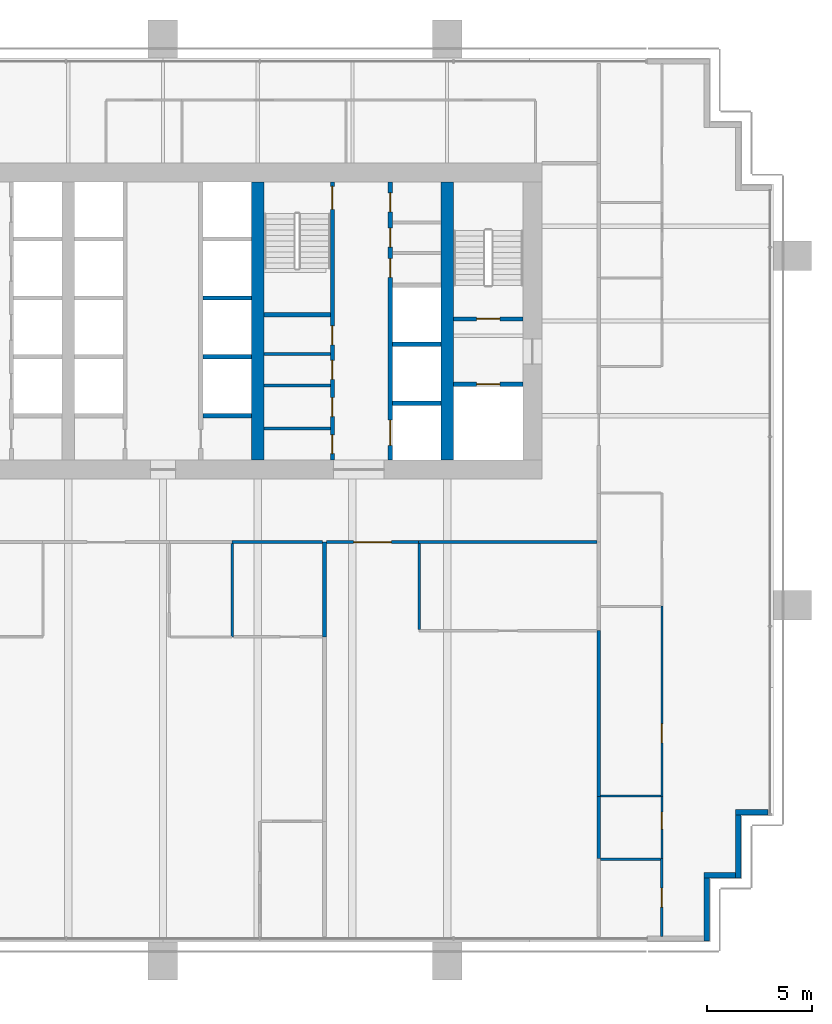
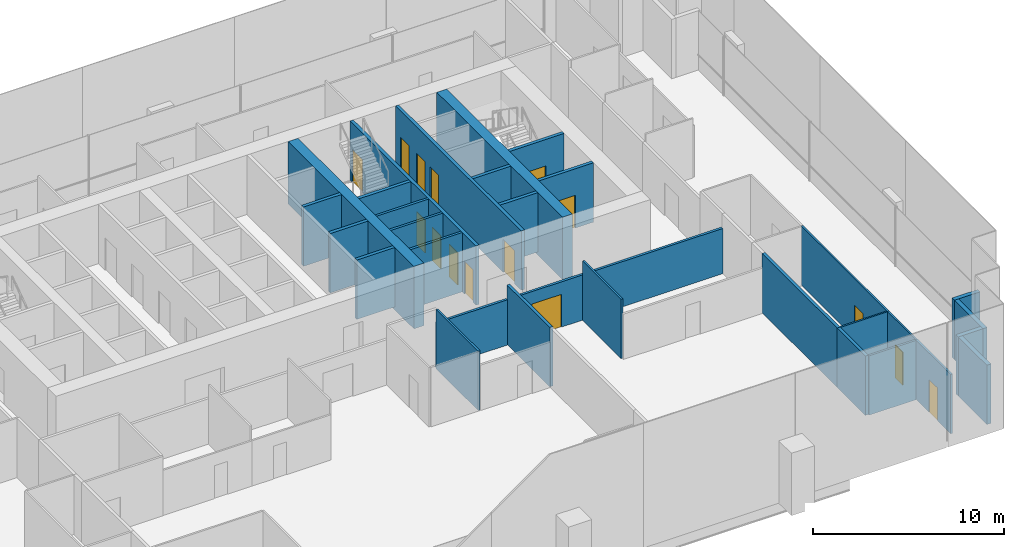
# One storey, part 12 of 17: 32 walls, 15 doors, 15 openings.
"""IFC4 building model written with IfcOpenShell, lengths in metres."""

from ifc_helpers import new_model, si_unit, direction, frame, frame_2d, origin, place, context, subcontext, project, spatial, rectangle, extrude, material, layer, layer_set, type_object, element, fill, save


model = new_model("IFC4")

# Units and contexts
model_context = context("Model", 3, precision=1e-05, world=origin(), true_north=direction((0.0, 1.0)))
body_context = subcontext(model_context, "Body", "Model", "MODEL_VIEW")
ifc_project = project(units=[si_unit("LENGTHUNIT", "METRE"), si_unit("AREAUNIT", "SQUARE_METRE"), si_unit("VOLUMEUNIT", "CUBIC_METRE"), si_unit("PLANEANGLEUNIT", "RADIAN"), si_unit("MASSUNIT", "GRAM", prefix="KILO")], contexts=[model_context])

# Site, building, storey
site_placement = place(None, origin())
site = spatial("IfcSite", under=ifc_project, at=site_placement, CompositionType="ELEMENT")
building_placement = place(site_placement, origin())
building = spatial("IfcBuilding", under=site, at=building_placement, Name="Rattan Terrace Tower", CompositionType="ELEMENT")
storey_placement = place(building_placement, frame((0.0, 0.0, 126.10009765625)))
storey = spatial("IfcBuildingStorey", under=building, at=storey_placement, Name="L28", CompositionType="ELEMENT", Elevation=126.10009765625)

# Walls
ifc_material_1 = material(Name="Gypsum board partition")
ifc_layer_1 = layer(ifc_material_1, 0.14990234375)
ifc_layer_set_1 = layer_set([ifc_layer_1], Name="Core partition 150")
wall_type_1 = type_object("IfcWallType", Name="Core partition 150", PredefinedType="PARTITIONING", material=ifc_layer_set_1)
for number, where, z_axis, x_axis, name in (
    (1, (4.800048828125, -5.10400390625, 0.0), (0.0, 0.0, 1.0), (1.0, 0.0, 0.0), "Toilet wall"),
    (2, (4.800048828125, -3.06396484375, 0.0), (0.0, 0.0, 1.0), (1.0, 0.0, 0.0), "Toilet wall"),
    (3, (4.800048828125, -1.568115234375, 0.0), (0.0, 0.0, 1.0), (1.0, 0.0, 0.0), "Toilet wall"),
):
    element("IfcWall", number, at=place(storey_placement, frame(where, z_axis=z_axis, x_axis=x_axis)), inside=storey, type_object=wall_type_1, Name=name, PredefinedType="PARTITIONING", context=body_context, shape_type="SweptSolid", body=[
        extrude(rectangle(XDim=3.14990234375, YDim=0.14990234375, at=frame_2d((1.574951171875, 0.0))), origin(), (0.0, 0.0, 1.0), 3.7998046875),
    ])

# Wall, opening, door
ifc_material_2 = material(Name="Gypsum board partition")
ifc_layer_2 = layer(ifc_material_2, 0.199951171875)
ifc_layer_set_2 = layer_set([ifc_layer_2], Name="Core partition 200")
wall_type_2 = type_object("IfcWallType", Name="Core partition 200", PredefinedType="PARTITIONING", material=ifc_layer_set_2)
wall_1_placement = place(storey_placement, frame((13.800048828125, -3.0, 0.0), z_axis=(0.0, 0.0, 1.0), x_axis=(1.0, 0.0, 0.0)))
wall_1 = element("IfcWall", 4, at=wall_1_placement, inside=storey, type_object=wall_type_2, Name="Fire-fighting lobby wall", PredefinedType="PARTITIONING", context=body_context, shape_type="SweptSolid", body=[
    extrude(rectangle(XDim=3.300048828125, YDim=0.199951171875, at=frame_2d((1.64990234375, 0.0))), origin(), (0.0, 0.0, 1.0), 3.7998046875),
])
opening_1_placement = place(wall_1_placement, frame((1.10009765625, 0.0, 0.0)))
opening_1 = element("IfcOpeningElement", 5, at=opening_1_placement, cuts=wall_1, Name="Opening L28-LD-FF2", PredefinedType="OPENING", context=body_context, shape_type="SweptSolid", body=[
    extrude(rectangle(XDim=1.10009765625, YDim=2.10009765625, at=frame_2d((0.550048828125, 1.050048828125))), frame((0.0, 0.110595703125, 0.0), z_axis=(0.0, -1.0, 0.0), x_axis=(1.0, 0.0, 0.0)), (0.0, 0.0, 1.0), 0.220947265625),
])
ifc_material_3 = material(Name="Brushed stainless landing door panel")
door_type_1 = type_object("IfcDoorType", Name="Core lift landing door 1100", OperationType="DOUBLE_DOOR_SLIDING", PredefinedType="DOOR", material=ifc_material_3)
door_1_placement = place(opening_1_placement, origin())
door_1 = element("IfcDoor", 6, at=door_1_placement, inside=storey, type_object=door_type_1, Name="Door L28-LD-FF2", OperationType="DOUBLE_DOOR_SLIDING", OverallHeight=2.10009765625, OverallWidth=1.10009765625, PredefinedType="DOOR", context=body_context, shape_type="SweptSolid", body=[
    extrude(rectangle(XDim=1.10009765625, YDim=2.10009765625, at=frame_2d((0.550048828125, 1.050048828125))), frame((0.0, 0.02490234375, 0.0), z_axis=(0.0, -1.0, 0.0), x_axis=(1.0, 0.0, 0.0)), (0.0, 0.0, 1.0), 0.050048828125),
])
fill(opening_1, door_1)

wall_2_placement = place(storey_placement, frame((13.800048828125, 0.10009765625, 0.0), z_axis=(0.0, 0.0, 1.0), x_axis=(1.0, 0.0, 0.0)))
wall_2 = element("IfcWall", 7, at=wall_2_placement, inside=storey, type_object=wall_type_2, Name="Stair enclosure wall", PredefinedType="PARTITIONING", context=body_context, shape_type="SweptSolid", body=[
    extrude(rectangle(XDim=3.300048828125, YDim=0.199951171875, at=frame_2d((1.64990234375, 0.0))), origin(), (0.0, 0.0, 1.0), 3.7998046875),
])
opening_2_placement = place(wall_2_placement, frame((1.10009765625, 0.0, 0.0)))
opening_2 = element("IfcOpeningElement", 8, at=opening_2_placement, cuts=wall_2, Name="Opening L28-D004", PredefinedType="OPENING", context=body_context, shape_type="SweptSolid", body=[
    extrude(rectangle(XDim=1.10009765625, YDim=2.10009765625, at=frame_2d((0.550048828125, 1.050048828125))), frame((0.0, 0.110595703125, 0.0), z_axis=(0.0, -1.0, 0.0), x_axis=(1.0, 0.0, 0.0)), (0.0, 0.0, 1.0), 0.220947265625),
])
ifc_material_4 = material(Name="Hollow-metal fire door leaf")
door_type_2 = type_object("IfcDoorType", Name="Core stair door 1100", OperationType="NOTDEFINED", PredefinedType="DOOR", material=ifc_material_4)
door_2_placement = place(opening_2_placement, origin())
door_2 = element("IfcDoor", 9, at=door_2_placement, inside=storey, type_object=door_type_2, Name="Door L28-D004", OperationType="SINGLE_SWING_RIGHT", OverallHeight=2.10009765625, OverallWidth=1.10009765625, PredefinedType="DOOR", context=body_context, shape_type="SweptSolid", body=[
    extrude(rectangle(XDim=1.10009765625, YDim=2.10009765625, at=frame_2d((0.550048828125, 1.050048828125))), frame((0.0, 0.02490234375, 0.0), z_axis=(0.0, -1.0, 0.0), x_axis=(1.0, 0.0, 0.0)), (0.0, 0.0, 1.0), 0.050048828125),
])
fill(opening_2, door_2)

# Wall, openings, doors
wall_3_placement = place(storey_placement, frame((8.050048828125, -6.60009765625, 0.0), z_axis=(0.0, 0.0, 1.0), x_axis=(0.0, 1.0, 0.0)))
wall_3 = element("IfcWall", 10, at=wall_3_placement, inside=storey, type_object=wall_type_2, Name="Lobby wall west", PredefinedType="PARTITIONING", context=body_context, shape_type="SweptSolid", body=[
    extrude(rectangle(XDim=13.2001953125, YDim=0.199951171875, at=frame_2d((6.60009765625, 0.0))), origin(), (0.0, 0.0, 1.0), 3.7998046875),
])
opening_3_placement = place(wall_3_placement, frame((0.298095703125, 0.0, 0.0)))
opening_3 = element("IfcOpeningElement", 11, at=opening_3_placement, cuts=wall_3, Name="Opening L28-D011", PredefinedType="OPENING", context=body_context, shape_type="SweptSolid", body=[
    extrude(rectangle(XDim=0.89990234375, YDim=2.10009765625, at=frame_2d((0.449951171875, 1.050048828125))), frame((0.0, 0.110595703125, 0.0), z_axis=(0.0, -1.0, 0.0), x_axis=(1.0, 0.0, 0.0)), (0.0, 0.0, 1.0), 0.220947265625),
])
opening_4_placement = place(wall_3_placement, frame((2.06591796875, 0.0, 0.0)))
opening_4 = element("IfcOpeningElement", 12, at=opening_4_placement, cuts=wall_3, Name="Opening L28-D012", PredefinedType="OPENING", context=body_context, shape_type="SweptSolid", body=[
    extrude(rectangle(XDim=0.89990234375, YDim=2.10009765625, at=frame_2d((0.449951171875, 1.050048828125))), frame((0.0, 0.110595703125, 0.0), z_axis=(0.0, -1.0, 0.0), x_axis=(1.0, 0.0, 0.0)), (0.0, 0.0, 1.0), 0.220947265625),
])
opening_5_placement = place(wall_3_placement, frame((3.833984375, 0.0, 0.0)))
opening_5 = element("IfcOpeningElement", 13, at=opening_5_placement, cuts=wall_3, Name="Opening L28-D013", PredefinedType="OPENING", context=body_context, shape_type="SweptSolid", body=[
    extrude(rectangle(XDim=0.89990234375, YDim=2.10009765625, at=frame_2d((0.449951171875, 1.050048828125))), frame((0.0, 0.110595703125, 0.0), z_axis=(0.0, -1.0, 0.0), x_axis=(1.0, 0.0, 0.0)), (0.0, 0.0, 1.0), 0.220947265625),
])
opening_6_placement = place(wall_3_placement, frame((5.466064453125, 0.0, 0.0)))
opening_6 = element("IfcOpeningElement", 14, at=opening_6_placement, cuts=wall_3, Name="Opening L28-D014", PredefinedType="OPENING", context=body_context, shape_type="SweptSolid", body=[
    extrude(rectangle(XDim=0.89990234375, YDim=2.10009765625, at=frame_2d((0.449951171875, 1.050048828125))), frame((0.0, 0.110595703125, 0.0), z_axis=(0.0, -1.0, 0.0), x_axis=(1.0, 0.0, 0.0)), (0.0, 0.0, 1.0), 0.220947265625),
])
opening_7_placement = place(wall_3_placement, frame((11.89990234375, 0.0, 0.0)))
opening_7 = element("IfcOpeningElement", 15, at=opening_7_placement, cuts=wall_3, Name="Opening L28-D015", PredefinedType="OPENING", context=body_context, shape_type="SweptSolid", body=[
    extrude(rectangle(XDim=1.10009765625, YDim=2.10009765625, at=frame_2d((0.550048828125, 1.050048828125))), frame((0.0, 0.110595703125, 0.0), z_axis=(0.0, -1.0, 0.0), x_axis=(1.0, 0.0, 0.0)), (0.0, 0.0, 1.0), 0.220947265625),
])
ifc_material_5 = material(Name="Hollow-metal fire door leaf")
door_type_3 = type_object("IfcDoorType", Name="Core service room door 900", OperationType="NOTDEFINED", PredefinedType="DOOR", material=ifc_material_5)
door_3_placement = place(opening_6_placement, origin())
door_3 = element("IfcDoor", 16, at=door_3_placement, inside=storey, type_object=door_type_3, Name="Door L28-D014", OperationType="SINGLE_SWING_LEFT", OverallHeight=2.10009765625, OverallWidth=0.89990234375, PredefinedType="DOOR", context=body_context, shape_type="SweptSolid", body=[
    extrude(rectangle(XDim=0.89990234375, YDim=2.10009765625, at=frame_2d((0.449951171875, 1.050048828125))), frame((0.0, 0.02490234375, 0.0), z_axis=(0.0, -1.0, 0.0), x_axis=(1.0, 0.0, 0.0)), (0.0, 0.0, 1.0), 0.050048828125),
])
fill(opening_6, door_3)
door_4_placement = place(opening_7_placement, origin())
door_4 = element("IfcDoor", 17, at=door_4_placement, inside=storey, type_object=door_type_2, Name="Door L28-D015", OperationType="SINGLE_SWING_RIGHT", OverallHeight=2.10009765625, OverallWidth=1.10009765625, PredefinedType="DOOR", context=body_context, shape_type="SweptSolid", body=[
    extrude(rectangle(XDim=1.10009765625, YDim=2.10009765625, at=frame_2d((0.550048828125, 1.050048828125))), frame((0.0, 0.02490234375, 0.0), z_axis=(0.0, -1.0, 0.0), x_axis=(1.0, 0.0, 0.0)), (0.0, 0.0, 1.0), 0.050048828125),
])
fill(opening_7, door_4)
ifc_material_6 = material(Name="Hollow-metal fire door leaf")
door_type_4 = type_object("IfcDoorType", Name="Core toilet door 900", OperationType="NOTDEFINED", PredefinedType="DOOR", material=ifc_material_6)
door_5_placement = place(opening_3_placement, origin())
door_5 = element("IfcDoor", 18, at=door_5_placement, inside=storey, type_object=door_type_4, Name="Door L28-D011", OperationType="SINGLE_SWING_RIGHT", OverallHeight=2.10009765625, OverallWidth=0.89990234375, PredefinedType="DOOR", context=body_context, shape_type="SweptSolid", body=[
    extrude(rectangle(XDim=0.89990234375, YDim=2.10009765625, at=frame_2d((0.449951171875, 1.050048828125))), frame((0.0, 0.02490234375, 0.0), z_axis=(0.0, -1.0, 0.0), x_axis=(1.0, 0.0, 0.0)), (0.0, 0.0, 1.0), 0.050048828125),
])
fill(opening_3, door_5)
door_6_placement = place(opening_4_placement, origin())
door_6 = element("IfcDoor", 19, at=door_6_placement, inside=storey, type_object=door_type_4, Name="Door L28-D012", OperationType="SINGLE_SWING_LEFT", OverallHeight=2.10009765625, OverallWidth=0.89990234375, PredefinedType="DOOR", context=body_context, shape_type="SweptSolid", body=[
    extrude(rectangle(XDim=0.89990234375, YDim=2.10009765625, at=frame_2d((0.449951171875, 1.050048828125))), frame((0.0, 0.02490234375, 0.0), z_axis=(0.0, -1.0, 0.0), x_axis=(1.0, 0.0, 0.0)), (0.0, 0.0, 1.0), 0.050048828125),
])
fill(opening_4, door_6)
door_7_placement = place(opening_5_placement, origin())
door_7 = element("IfcDoor", 20, at=door_7_placement, inside=storey, type_object=door_type_4, Name="Door L28-D013", OperationType="SINGLE_SWING_RIGHT", OverallHeight=2.10009765625, OverallWidth=0.89990234375, PredefinedType="DOOR", context=body_context, shape_type="SweptSolid", body=[
    extrude(rectangle(XDim=0.89990234375, YDim=2.10009765625, at=frame_2d((0.449951171875, 1.050048828125))), frame((0.0, 0.02490234375, 0.0), z_axis=(0.0, -1.0, 0.0), x_axis=(1.0, 0.0, 0.0)), (0.0, 0.0, 1.0), 0.050048828125),
])
fill(opening_5, door_7)

# Walls
wall_4_placement = place(storey_placement, frame((4.800048828125, 0.300048828125, 0.0), z_axis=(0.0, 0.0, 1.0), x_axis=(1.0, 0.0, 0.0)))
element("IfcWall", 21, at=wall_4_placement, inside=storey, type_object=wall_type_2, Name="Stair enclosure wall", PredefinedType="PARTITIONING", context=body_context, shape_type="SweptSolid", body=[
    extrude(rectangle(XDim=3.14990234375, YDim=0.199951171875, at=frame_2d((1.574951171875, 0.0))), origin(), (0.0, 0.0, 1.0), 3.7998046875),
])
ifc_material_7 = material(Name="Concrete C60/75", Category="concrete")
ifc_layer_3 = layer(ifc_material_7, 0.60009765625)
ifc_layer_set_3 = layer_set([ifc_layer_3], Name="Core spine wall 600 C60/75")
wall_type_3 = type_object("IfcWallType", Name="Core spine wall 600 C60/75", PredefinedType="SHEAR", material=ifc_layer_set_3)
for number, where, z_axis, x_axis, name in (
    (22, (4.5, -6.60009765625, -0.2001953125), (0.0, 0.0, 1.0), (0.0, 1.0, 0.0), "Core spine wall 3"),
    (23, (13.5, -6.60009765625, -0.2001953125), (0.0, 0.0, 1.0), (0.0, 1.0, 0.0), "Core spine wall 4"),
):
    element("IfcWall", number, at=place(storey_placement, frame(where, z_axis=z_axis, x_axis=x_axis)), inside=storey, type_object=wall_type_3, Name=name, PredefinedType="SHEAR", context=body_context, shape_type="SweptSolid", body=[
        extrude(rectangle(XDim=13.2001953125, YDim=0.60009765625, at=frame_2d((6.60009765625, 0.0))), origin(), (0.0, 0.0, 1.0), 4.0),
    ])
ifc_material_8 = material(Name="Insulated aluminium-clad stud wall", Category="aluminium")
ifc_layer_4 = layer(ifc_material_8, 0.25)
ifc_layer_set_4 = layer_set([ifc_layer_4], Name="Facade Riser Wall 250")
wall_type_4 = type_object("IfcWallType", Name="Facade Riser Wall 250", PredefinedType="SOLIDWALL", material=ifc_layer_set_4)
wall_5_placement = place(storey_placement, frame((25.830078125, -29.455078125, 0.0), z_axis=(0.0, 0.0, 1.0), x_axis=(0.0, 1.0, 0.0)))
element("IfcWall", 24, at=wall_5_placement, inside=storey, type_object=wall_type_4, Name="Riser wall L28-2", PredefinedType="SOLIDWALL", context=body_context, shape_type="SweptSolid", body=[
    extrude(rectangle(XDim=3.0, YDim=0.25, at=frame_2d((1.5, 0.0))), origin(), (0.0, 0.0, 1.0), 3.7998046875),
])
wall_6_placement = place(storey_placement, frame((25.705078125, -26.330078125, 0.0), z_axis=(0.0, 0.0, 1.0), x_axis=(1.0, 0.0, 0.0)))
element("IfcWall", 25, at=wall_6_placement, inside=storey, type_object=wall_type_4, Name="Riser wall L28-3", PredefinedType="SOLIDWALL", context=body_context, shape_type="SweptSolid", body=[
    extrude(rectangle(XDim=1.5, YDim=0.25, at=frame_2d((0.75, 0.0))), origin(), (0.0, 0.0, 1.0), 3.7998046875),
])
wall_7_placement = place(storey_placement, frame((27.330078125, -26.455078125, 0.0), z_axis=(0.0, 0.0, 1.0), x_axis=(0.0, 1.0, 0.0)))
element("IfcWall", 26, at=wall_7_placement, inside=storey, type_object=wall_type_4, Name="Riser wall L28-4", PredefinedType="SOLIDWALL", context=body_context, shape_type="SweptSolid", body=[
    extrude(rectangle(XDim=3.0, YDim=0.25, at=frame_2d((1.5, 0.0))), origin(), (0.0, 0.0, 1.0), 3.7998046875),
])
wall_8_placement = place(storey_placement, frame((27.205078125, -23.330078125, 0.0), z_axis=(0.0, 0.0, 1.0), x_axis=(1.0, 0.0, 0.0)))
element("IfcWall", 27, at=wall_8_placement, inside=storey, type_object=wall_type_4, Name="Riser wall L28-5", PredefinedType="SOLIDWALL", context=body_context, shape_type="SweptSolid", body=[
    extrude(rectangle(XDim=1.544921875, YDim=0.25, at=frame_2d((0.7724609375, 0.0))), origin(), (0.0, 0.0, 1.0), 3.7998046875),
])
ifc_material_9 = material(Name="Double steel stud acoustic partition, gypsum board, mineral wool, fire rated", Category="steel")
ifc_layer_5 = layer(ifc_material_9, 0.179931640625)
ifc_layer_set_5 = layer_set([ifc_layer_5], Name="Floors Acoustic Party Wall 180")
wall_type_5 = type_object("IfcWallType", Name="Floors Acoustic Party Wall 180", PredefinedType="PARTITIONING", material=ifc_layer_set_5)
wall_9_placement = place(storey_placement, frame((7.6669921875, -10.5, 0.0), z_axis=(0.0, 0.0, 1.0), x_axis=(0.0, -1.0, 0.0)))
element("IfcWall", 28, at=wall_9_placement, inside=storey, type_object=wall_type_5, Name="pt-L28-054", PredefinedType="PARTITIONING", context=body_context, shape_type="SweptSolid", body=[
    extrude(rectangle(XDim=4.5, YDim=0.179931640625, at=frame_2d((2.25, 0.0))), origin(), (0.0, 0.0, 1.0), 3.7998046875),
])
wall_10_placement = place(storey_placement, frame((20.699951171875, -22.580078125, 0.0), z_axis=(0.0, 0.0, 1.0), x_axis=(0.0, -1.0, 0.0)))
element("IfcWall", 29, at=wall_10_placement, inside=storey, type_object=wall_type_5, Name="pt-L28-058", PredefinedType="PARTITIONING", context=body_context, shape_type="SweptSolid", body=[
    extrude(rectangle(XDim=2.9599609375, YDim=0.179931640625, at=frame_2d((1.47998046875, 0.0))), origin(), (0.0, 0.0, 1.0), 3.7998046875),
])
wall_11_placement = place(storey_placement, frame((20.699951171875, -14.699951171875, 0.0), z_axis=(0.0, 0.0, 1.0), x_axis=(0.0, -1.0, 0.0)))
element("IfcWall", 30, at=wall_11_placement, inside=storey, type_object=wall_type_5, Name="pt-L28-059", PredefinedType="PARTITIONING", context=body_context, shape_type="SweptSolid", body=[
    extrude(rectangle(XDim=7.880126953125, YDim=0.179931640625, at=frame_2d((3.93994140625, 0.0))), origin(), (0.0, 0.0, 1.0), 3.7998046875),
])

# Wall, opening, door
ifc_material_10 = material(Name="Gypsum board partition on steel studs", Category="steel")
ifc_layer_6 = layer(ifc_material_10, 0.10009765625)
ifc_layer_set_6 = layer_set([ifc_layer_6], Name="Floors Partition 100")
wall_type_6 = type_object("IfcWallType", Name="Floors Partition 100", PredefinedType="PARTITIONING", material=ifc_layer_set_6)
wall_12_placement = place(storey_placement, frame((23.699951171875, -25.5400390625, 0.0), z_axis=(0.0, 0.0, 1.0), x_axis=(0.0, 1.0, 0.0)))
wall_12 = element("IfcWall", 31, at=wall_12_placement, inside=storey, type_object=wall_type_6, Name="pt-L28-063", PredefinedType="PARTITIONING", context=body_context, shape_type="SweptSolid", body=[
    extrude(rectangle(XDim=2.9599609375, YDim=0.10009765625, at=frame_2d((1.47998046875, 0.0))), origin(), (0.0, 0.0, 1.0), 3.7998046875),
])
opening_8_placement = place(wall_12_placement, frame((1.412109375, 0.0, 0.0)))
opening_8 = element("IfcOpeningElement", 32, at=opening_8_placement, cuts=wall_12, Name="Opening L28-D118", PredefinedType="OPENING", context=body_context, shape_type="SweptSolid", body=[
    extrude(rectangle(XDim=0.800048828125, YDim=2.10009765625, at=frame_2d((0.39990234375, 1.050048828125))), frame((0.0, 0.060546875, 0.0), z_axis=(0.0, -1.0, 0.0), x_axis=(1.0, 0.0, 0.0)), (0.0, 0.0, 1.0), 0.12109375),
])
ifc_material_11 = material(Name="Solid core timber door, painted", Category="wood")
door_type_5 = type_object("IfcDoorType", Name="Floors Store Door 800x2100", OperationType="NOTDEFINED", PredefinedType="DOOR", material=ifc_material_11)
door_8_placement = place(opening_8_placement, origin())
door_8 = element("IfcDoor", 33, at=door_8_placement, inside=storey, type_object=door_type_5, Name="d-L28-118", OperationType="SINGLE_SWING_RIGHT", OverallHeight=2.10009765625, OverallWidth=0.800048828125, PredefinedType="DOOR", context=body_context, shape_type="SweptSolid", body=[
    extrude(rectangle(XDim=0.800048828125, YDim=2.10009765625, at=frame_2d((0.39990234375, 1.050048828125))), frame((0.0, 0.02490234375, 0.0), z_axis=(0.0, -1.0, 0.0), x_axis=(1.0, 0.0, 0.0)), (0.0, 0.0, 1.0), 0.050048828125),
])
fill(opening_8, door_8)

wall_13_placement = place(storey_placement, frame((23.699951171875, -22.580078125, 0.0), z_axis=(0.0, 0.0, 1.0), x_axis=(0.0, 1.0, 0.0)))
wall_13 = element("IfcWall", 34, at=wall_13_placement, inside=storey, type_object=wall_type_6, Name="pt-L28-064", PredefinedType="PARTITIONING", context=body_context, shape_type="SweptSolid", body=[
    extrude(rectangle(XDim=9.0400390625, YDim=0.10009765625, at=frame_2d((4.52001953125, 0.0))), origin(), (0.0, 0.0, 1.0), 3.7998046875),
])
opening_9_placement = place(wall_13_placement, frame((2.5419921875, 0.0, 0.0)))
opening_9 = element("IfcOpeningElement", 35, at=opening_9_placement, cuts=wall_13, Name="Opening L28-D119", PredefinedType="OPENING", context=body_context, shape_type="SweptSolid", body=[
    extrude(rectangle(XDim=0.89990234375, YDim=2.10009765625, at=frame_2d((0.449951171875, 1.050048828125))), frame((0.0, 0.060546875, 0.0), z_axis=(0.0, -1.0, 0.0), x_axis=(1.0, 0.0, 0.0)), (0.0, 0.0, 1.0), 0.12109375),
])
ifc_material_12 = material(Name="Solid core timber door, painted", Category="wood")
door_type_6 = type_object("IfcDoorType", Name="Floors Door 900x2100", OperationType="NOTDEFINED", PredefinedType="DOOR", material=ifc_material_12)
door_9_placement = place(opening_9_placement, origin())
door_9 = element("IfcDoor", 36, at=door_9_placement, inside=storey, type_object=door_type_6, Name="d-L28-119", OperationType="SINGLE_SWING_LEFT", OverallHeight=2.10009765625, OverallWidth=0.89990234375, PredefinedType="DOOR", context=body_context, shape_type="SweptSolid", body=[
    extrude(rectangle(XDim=0.89990234375, YDim=2.10009765625, at=frame_2d((0.449951171875, 1.050048828125))), frame((0.0, 0.02490234375, 0.0), z_axis=(0.0, -1.0, 0.0), x_axis=(1.0, 0.0, 0.0)), (0.0, 0.0, 1.0), 0.050048828125),
])
fill(opening_9, door_9)

# Walls
wall_14_placement = place(storey_placement, frame((20.7900390625, -22.56005859375, 0.0), z_axis=(0.0, 0.0, 1.0), x_axis=(1.0, 0.0, 0.0)))
element("IfcWall", 37, at=wall_14_placement, inside=storey, type_object=wall_type_6, Name="pt-L28-072", PredefinedType="PARTITIONING", context=body_context, shape_type="SweptSolid", body=[
    extrude(rectangle(XDim=2.85986328125, YDim=0.10009765625, at=frame_2d((1.429931640625, 0.0))), origin(), (0.0, 0.0, 1.0), 3.7998046875),
])
ifc_material_13 = material(Name="Gypsum board partition on steel studs, fire rated", Category="steel")
ifc_layer_7 = layer(ifc_material_13, 0.14990234375)
ifc_layer_set_7 = layer_set([ifc_layer_7], Name="Floors Tenancy Wall 150")
wall_type_7 = type_object("IfcWallType", Name="Floors Tenancy Wall 150", PredefinedType="PARTITIONING", material=ifc_layer_set_7)
wall_15_placement = place(storey_placement, frame((7.576904296875, -10.5, 0.0), z_axis=(0.0, 0.0, 1.0), x_axis=(-1.0, 0.0, 0.0)))
element("IfcWall", 38, at=wall_15_placement, inside=storey, type_object=wall_type_7, Name="pt-L28-010", PredefinedType="PARTITIONING", context=body_context, shape_type="SweptSolid", body=[
    extrude(rectangle(XDim=4.296875, YDim=0.14990234375, at=frame_2d((2.1484375, 0.0))), origin(), (0.0, 0.0, 1.0), 2.89990234375),
])

# Wall, opening, door
wall_16_placement = place(storey_placement, frame((12.14697265625, -10.5, 0.0), z_axis=(0.0, 0.0, 1.0), x_axis=(-1.0, 0.0, 0.0)))
wall_16 = element("IfcWall", 39, at=wall_16_placement, inside=storey, type_object=wall_type_7, Name="pt-L28-011", PredefinedType="PARTITIONING", context=body_context, shape_type="SweptSolid", body=[
    extrude(rectangle(XDim=4.389892578125, YDim=0.14990234375, at=frame_2d((2.19482421875, 0.0))), origin(), (0.0, 0.0, 1.0), 2.89990234375),
])
opening_10_placement = place(wall_16_placement, frame((1.294921875, 0.0, 0.0)))
opening_10 = element("IfcOpeningElement", 40, at=opening_10_placement, cuts=wall_16, Name="Opening L28-D114", PredefinedType="OPENING", context=body_context, shape_type="SweptSolid", body=[
    extrude(rectangle(XDim=1.800048828125, YDim=2.10009765625, at=frame_2d((0.89990234375, 1.050048828125))), frame((0.0, 0.08544921875, 0.0), z_axis=(0.0, -1.0, 0.0), x_axis=(1.0, 0.0, 0.0)), (0.0, 0.0, 1.0), 0.1708984375),
])
ifc_material_14 = material(Name="Steel fire door set", Category="steel")
door_type_7 = type_object("IfcDoorType", Name="Floors Fire Door Pair FD30S 1800x2100", OperationType="NOTDEFINED", PredefinedType="DOOR", material=ifc_material_14)
door_10_placement = place(opening_10_placement, origin())
door_10 = element("IfcDoor", 41, at=door_10_placement, inside=storey, type_object=door_type_7, Name="d-L28-114", OperationType="DOUBLE_DOOR_SINGLE_SWING", OverallHeight=2.10009765625, OverallWidth=1.800048828125, PredefinedType="DOOR", context=body_context, shape_type="SweptSolid", body=[
    extrude(rectangle(XDim=1.800048828125, YDim=2.10009765625, at=frame_2d((0.89990234375, 1.050048828125))), frame((0.0, 0.02490234375, 0.0), z_axis=(0.0, -1.0, 0.0), x_axis=(1.0, 0.0, 0.0)), (0.0, 0.0, 1.0), 0.050048828125),
])
fill(opening_10, door_10)

# Walls
wall_17_placement = place(storey_placement, frame((20.610107421875, -10.5, 0.0), z_axis=(0.0, 0.0, 1.0), x_axis=(-1.0, 0.0, 0.0)))
element("IfcWall", 42, at=wall_17_placement, inside=storey, type_object=wall_type_7, Name="pt-L28-012", PredefinedType="PARTITIONING", context=body_context, shape_type="SweptSolid", body=[
    extrude(rectangle(XDim=8.463134765625, YDim=0.14990234375, at=frame_2d((4.2314453125, 0.0))), origin(), (0.0, 0.0, 1.0), 2.89990234375),
])
ifc_material_15 = material(Name="Moisture resistant gypsum board partition on steel studs with service cavity", Category="steel")
ifc_layer_8 = layer(ifc_material_15, 0.1201171875)
ifc_layer_set_8 = layer_set([ifc_layer_8], Name="Floors Wet Wall 120")
wall_type_8 = type_object("IfcWallType", Name="Floors Wet Wall 120", PredefinedType="PARTITIONING", material=ifc_layer_set_8)
wall_18_placement = place(storey_placement, frame((3.300048828125, -10.574951171875, 0.0), z_axis=(0.0, 0.0, 1.0), x_axis=(0.0, -1.0, 0.0)))
element("IfcWall", 43, at=wall_18_placement, inside=storey, type_object=wall_type_8, Name="pt-L28-053", PredefinedType="PARTITIONING", context=body_context, shape_type="SweptSolid", body=[
    extrude(rectangle(XDim=4.425048828125, YDim=0.1201171875, at=frame_2d((2.21240234375, 0.0))), origin(), (0.0, 0.0, 1.0), 3.7998046875),
])
wall_19_placement = place(storey_placement, frame((12.1669921875, -10.574951171875, 0.0), z_axis=(0.0, 0.0, 1.0), x_axis=(0.0, -1.0, 0.0)))
element("IfcWall", 44, at=wall_19_placement, inside=storey, type_object=wall_type_8, Name="pt-L28-055", PredefinedType="PARTITIONING", context=body_context, shape_type="SweptSolid", body=[
    extrude(rectangle(XDim=4.06494140625, YDim=0.1201171875, at=frame_2d((2.032470703125, 0.0))), origin(), (0.0, 0.0, 1.0), 3.7998046875),
])

# Wall, opening, door
wall_20_placement = place(storey_placement, frame((23.699951171875, -29.239990234375, 0.0), z_axis=(0.0, 0.0, 1.0), x_axis=(0.0, 1.0, 0.0)))
wall_20 = element("IfcWall", 45, at=wall_20_placement, inside=storey, type_object=wall_type_8, Name="pt-L28-062", PredefinedType="PARTITIONING", context=body_context, shape_type="SweptSolid", body=[
    extrude(rectangle(XDim=3.699951171875, YDim=0.1201171875, at=frame_2d((1.85009765625, 0.0))), origin(), (0.0, 0.0, 1.0), 3.7998046875),
])
opening_11_placement = place(wall_20_placement, frame((1.39990234375, 0.0, 0.0)))
opening_11 = element("IfcOpeningElement", 46, at=opening_11_placement, cuts=wall_20, Name="Opening L28-D117", PredefinedType="OPENING", context=body_context, shape_type="SweptSolid", body=[
    extrude(rectangle(XDim=0.89990234375, YDim=2.10009765625, at=frame_2d((0.449951171875, 1.050048828125))), frame((0.0, 0.070556640625, 0.0), z_axis=(0.0, -1.0, 0.0), x_axis=(1.0, 0.0, 0.0)), (0.0, 0.0, 1.0), 0.14111328125),
])
door_11_placement = place(opening_11_placement, origin())
door_11 = element("IfcDoor", 47, at=door_11_placement, inside=storey, type_object=door_type_6, Name="d-L28-117", OperationType="SINGLE_SWING_RIGHT", OverallHeight=2.10009765625, OverallWidth=0.89990234375, PredefinedType="DOOR", context=body_context, shape_type="SweptSolid", body=[
    extrude(rectangle(XDim=0.89990234375, YDim=2.10009765625, at=frame_2d((0.449951171875, 1.050048828125))), frame((0.0, 0.02490234375, 0.0), z_axis=(0.0, -1.0, 0.0), x_axis=(1.0, 0.0, 0.0)), (0.0, 0.0, 1.0), 0.050048828125),
])
fill(opening_11, door_11)

# Walls
wall_21_placement = place(storey_placement, frame((20.7900390625, -25.56005859375, 0.0), z_axis=(0.0, 0.0, 1.0), x_axis=(1.0, 0.0, 0.0)))
element("IfcWall", 48, at=wall_21_placement, inside=storey, type_object=wall_type_8, Name="pt-L28-071", PredefinedType="PARTITIONING", context=body_context, shape_type="SweptSolid", body=[
    extrude(rectangle(XDim=2.849853515625, YDim=0.1201171875, at=frame_2d((1.4248046875, 0.0))), origin(), (0.0, 0.0, 1.0), 3.7998046875),
])
ifc_material_16 = material(Name="Gypsum shaft wall system")
ifc_layer_9 = layer(ifc_material_16, 0.199951171875)
ifc_layer_set_9 = layer_set([ifc_layer_9], Name="Lift shaft wall 200")
wall_type_9 = type_object("IfcWallType", Name="Lift shaft wall 200", PredefinedType="PARTITIONING", material=ifc_layer_set_9)
for number, where, z_axis, x_axis, name in (
    (49, (1.89990234375, -1.699951171875, 0.0), (0.0, 0.0, 1.0), (1.0, 0.0, 0.0), "Lift shaft wall"),
    (50, (1.89990234375, 1.10009765625, 0.0), (0.0, 0.0, 1.0), (1.0, 0.0, 0.0), "Lift shaft wall"),
    (51, (1.89990234375, -4.5, 0.0), (0.0, 0.0, 1.0), (1.0, 0.0, 0.0), "Lift shaft wall"),
):
    element("IfcWall", number, at=place(storey_placement, frame(where, z_axis=z_axis, x_axis=x_axis)), inside=storey, type_object=wall_type_9, Name=name, PredefinedType="PARTITIONING", context=body_context, shape_type="SweptSolid", body=[
        extrude(rectangle(XDim=2.300048828125, YDim=0.199951171875, at=frame_2d((1.14990234375, 0.0))), origin(), (0.0, 0.0, 1.0), 3.7998046875),
    ])

# Wall, openings, doors
wall_22_placement = place(storey_placement, frame((10.800048828125, -6.60009765625, 0.0), z_axis=(0.0, 0.0, 1.0), x_axis=(0.0, 1.0, 0.0)))
wall_22 = element("IfcWall", 52, at=wall_22_placement, inside=storey, type_object=wall_type_9, Name="Lift shaft front wall", PredefinedType="PARTITIONING", context=body_context, shape_type="SweptSolid", body=[
    extrude(rectangle(XDim=13.2001953125, YDim=0.199951171875, at=frame_2d((6.60009765625, 0.0))), origin(), (0.0, 0.0, 1.0), 3.7998046875),
])
opening_12_placement = place(wall_22_placement, frame((0.699951171875, 0.0, 0.0)))
opening_12 = element("IfcOpeningElement", 53, at=opening_12_placement, cuts=wall_22, Name="Opening L28-LD-SV1", PredefinedType="OPENING", context=body_context, shape_type="SweptSolid", body=[
    extrude(rectangle(XDim=1.199951171875, YDim=2.10009765625, at=frame_2d((0.60009765625, 1.050048828125))), frame((0.0, 0.110595703125, 0.0), z_axis=(0.0, -1.0, 0.0), x_axis=(1.0, 0.0, 0.0)), (0.0, 0.0, 1.0), 0.220947265625),
])
opening_13_placement = place(wall_22_placement, frame((8.669921875, 0.0, 0.0)))
opening_13 = element("IfcOpeningElement", 54, at=opening_13_placement, cuts=wall_22, Name="Opening L28-D017", PredefinedType="OPENING", context=body_context, shape_type="SweptSolid", body=[
    extrude(rectangle(XDim=0.89990234375, YDim=2.10009765625, at=frame_2d((0.449951171875, 1.050048828125))), frame((0.0, 0.110595703125, 0.0), z_axis=(0.0, -1.0, 0.0), x_axis=(1.0, 0.0, 0.0)), (0.0, 0.0, 1.0), 0.220947265625),
])
opening_14_placement = place(wall_22_placement, frame((10.110107421875, 0.0, 0.0)))
opening_14 = element("IfcOpeningElement", 55, at=opening_14_placement, cuts=wall_22, Name="Opening L28-D018", PredefinedType="OPENING", context=body_context, shape_type="SweptSolid", body=[
    extrude(rectangle(XDim=0.89990234375, YDim=2.10009765625, at=frame_2d((0.449951171875, 1.050048828125))), frame((0.0, 0.110595703125, 0.0), z_axis=(0.0, -1.0, 0.0), x_axis=(1.0, 0.0, 0.0)), (0.0, 0.0, 1.0), 0.220947265625),
])
opening_15_placement = place(wall_22_placement, frame((11.7900390625, 0.0, 0.0)))
opening_15 = element("IfcOpeningElement", 56, at=opening_15_placement, cuts=wall_22, Name="Opening L28-D019", PredefinedType="OPENING", context=body_context, shape_type="SweptSolid", body=[
    extrude(rectangle(XDim=0.89990234375, YDim=2.10009765625, at=frame_2d((0.449951171875, 1.050048828125))), frame((0.0, 0.110595703125, 0.0), z_axis=(0.0, -1.0, 0.0), x_axis=(1.0, 0.0, 0.0)), (0.0, 0.0, 1.0), 0.220947265625),
])
ifc_material_17 = material(Name="Brushed stainless landing door panel")
door_type_8 = type_object("IfcDoorType", Name="Core lift landing door 1200", OperationType="DOUBLE_DOOR_SLIDING", PredefinedType="DOOR", material=ifc_material_17)
door_12_placement = place(opening_12_placement, origin())
door_12 = element("IfcDoor", 57, at=door_12_placement, inside=storey, type_object=door_type_8, Name="Door L28-LD-SV1", OperationType="DOUBLE_DOOR_SLIDING", OverallHeight=2.10009765625, OverallWidth=1.199951171875, PredefinedType="DOOR", context=body_context, shape_type="SweptSolid", body=[
    extrude(rectangle(XDim=1.199951171875, YDim=2.10009765625, at=frame_2d((0.60009765625, 1.050048828125))), frame((0.0, 0.02490234375, 0.0), z_axis=(0.0, -1.0, 0.0), x_axis=(1.0, 0.0, 0.0)), (0.0, 0.0, 1.0), 0.050048828125),
])
fill(opening_12, door_12)
ifc_material_18 = material(Name="Hollow-metal fire door leaf")
door_type_9 = type_object("IfcDoorType", Name="Core riser door 900", OperationType="NOTDEFINED", PredefinedType="DOOR", material=ifc_material_18)
door_13_placement = place(opening_13_placement, origin())
door_13 = element("IfcDoor", 58, at=door_13_placement, inside=storey, type_object=door_type_9, Name="Door L28-D017", OperationType="SINGLE_SWING_LEFT", OverallHeight=2.10009765625, OverallWidth=0.89990234375, PredefinedType="DOOR", context=body_context, shape_type="SweptSolid", body=[
    extrude(rectangle(XDim=0.89990234375, YDim=2.10009765625, at=frame_2d((0.449951171875, 1.050048828125))), frame((0.0, 0.02490234375, 0.0), z_axis=(0.0, -1.0, 0.0), x_axis=(1.0, 0.0, 0.0)), (0.0, 0.0, 1.0), 0.050048828125),
])
fill(opening_13, door_13)
door_14_placement = place(opening_14_placement, origin())
door_14 = element("IfcDoor", 59, at=door_14_placement, inside=storey, type_object=door_type_9, Name="Door L28-D018", OperationType="SINGLE_SWING_RIGHT", OverallHeight=2.10009765625, OverallWidth=0.89990234375, PredefinedType="DOOR", context=body_context, shape_type="SweptSolid", body=[
    extrude(rectangle(XDim=0.89990234375, YDim=2.10009765625, at=frame_2d((0.449951171875, 1.050048828125))), frame((0.0, 0.02490234375, 0.0), z_axis=(0.0, -1.0, 0.0), x_axis=(1.0, 0.0, 0.0)), (0.0, 0.0, 1.0), 0.050048828125),
])
fill(opening_14, door_14)
door_15_placement = place(opening_15_placement, origin())
door_15 = element("IfcDoor", 60, at=door_15_placement, inside=storey, type_object=door_type_3, Name="Door L28-D019", OperationType="SINGLE_SWING_LEFT", OverallHeight=2.10009765625, OverallWidth=0.89990234375, PredefinedType="DOOR", context=body_context, shape_type="SweptSolid", body=[
    extrude(rectangle(XDim=0.89990234375, YDim=2.10009765625, at=frame_2d((0.449951171875, 1.050048828125))), frame((0.0, 0.02490234375, 0.0), z_axis=(0.0, -1.0, 0.0), x_axis=(1.0, 0.0, 0.0)), (0.0, 0.0, 1.0), 0.050048828125),
])
fill(opening_15, door_15)

# Walls
for number, where, z_axis, x_axis, name in (
    (61, (10.89990234375, -3.89990234375, 0.0), (0.0, 0.0, 1.0), (1.0, 0.0, 0.0), "Lift shaft wall"),
    (62, (10.89990234375, -1.10009765625, 0.0), (0.0, 0.0, 1.0), (1.0, 0.0, 0.0), "Lift shaft wall"),
):
    element("IfcWall", number, at=place(storey_placement, frame(where, z_axis=z_axis, x_axis=x_axis)), inside=storey, type_object=wall_type_9, Name=name, PredefinedType="PARTITIONING", context=body_context, shape_type="SweptSolid", body=[
        extrude(rectangle(XDim=2.300048828125, YDim=0.199951171875, at=frame_2d((1.14990234375, 0.0))), origin(), (0.0, 0.0, 1.0), 3.7998046875),
    ])

save(model, "model.ifc")
